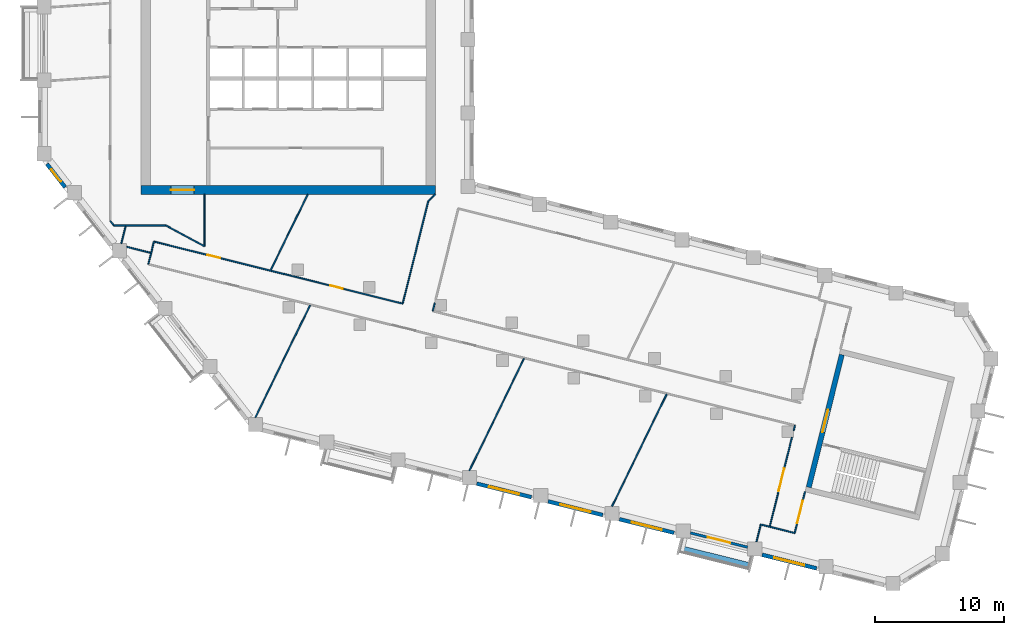
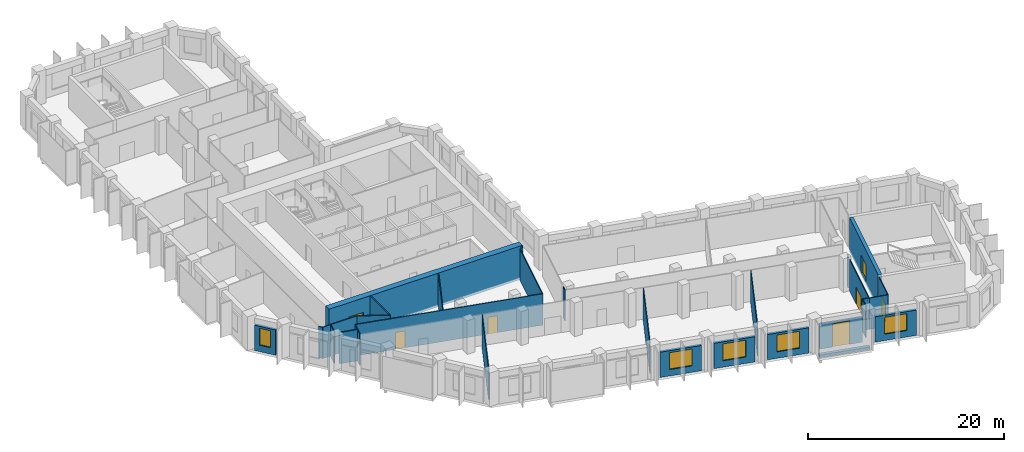
# One storey, part 3 of 10: 30 walls, 7 doors, 5 windows, 12 openings.
"""IFC4 building model written with IfcOpenShell, lengths in metres."""

from ifc_helpers import new_model, si_unit, direction, frame, frame_2d, origin, place, context, subcontext, project, spatial, rectangle, extrude, material, layer, layer_set, type_object, element, fill, save


model = new_model("IFC4")

# Units and contexts
model_context = context("Model", 3, precision=1e-05, world=origin(), true_north=direction((0.0, 1.0)))
body_context = subcontext(model_context, "Body", "Model", "MODEL_VIEW")
ifc_project = project(units=[si_unit("LENGTHUNIT", "METRE"), si_unit("AREAUNIT", "SQUARE_METRE"), si_unit("VOLUMEUNIT", "CUBIC_METRE"), si_unit("PLANEANGLEUNIT", "RADIAN"), si_unit("MASSUNIT", "GRAM", prefix="KILO")], contexts=[model_context])

# Site, building, storey
site_placement = place(None, origin())
site = spatial("IfcSite", under=ifc_project, at=site_placement, CompositionType="ELEMENT")
building_placement = place(site_placement, origin())
building = spatial("IfcBuilding", under=site, at=building_placement, Name="Meshkara Civic Tower", CompositionType="ELEMENT")
storey_placement = place(building_placement, frame((0.0, 0.0, 276.0)))
storey = spatial("IfcBuildingStorey", under=building, at=storey_placement, Name="L63", CompositionType="ELEMENT", Elevation=276.0)

# Wall, opening, door
ifc_material_1 = material(Name="Concrete C60", Category="concrete")
ifc_layer_1 = layer(ifc_material_1, 0.699951171875)
ifc_layer_set_1 = layer_set([ifc_layer_1], Name="Core ring wall 700 C60")
wall_type_1 = type_object("IfcWallType", Name="Core ring wall 700 C60", PredefinedType="SHEAR", material=ifc_layer_set_1)
wall_1_placement = place(storey_placement, frame((8.0, 14.449951171875, -0.300048828125), z_axis=(0.0, 0.0, 1.0), x_axis=(1.0, 0.0, 0.0)))
wall_1 = element("IfcWall", 1, at=wall_1_placement, inside=storey, type_object=wall_type_1, Name="L63-C001", PredefinedType="SHEAR", context=body_context, shape_type="SweptSolid", body=[
    extrude(rectangle(XDim=22.800048828125, YDim=0.699951171875, at=frame_2d((11.39990234375, 0.0))), origin(), (0.0, 0.0, 1.0), 4.199951171875),
])
opening_1_placement = place(wall_1_placement, frame((2.300048828125, 0.0, 0.300048828125)))
opening_1 = element("IfcOpeningElement", 2, at=opening_1_placement, cuts=wall_1, Name="Opening L63-K020", PredefinedType="OPENING", context=body_context, shape_type="SweptSolid", body=[
    extrude(rectangle(XDim=1.800048828125, YDim=2.10009765625, at=frame_2d((0.89990234375, 1.050048828125))), frame((0.0, 0.35986328125, 0.0), z_axis=(0.0, -1.0, 0.0), x_axis=(1.0, 0.0, 0.0)), (0.0, 0.0, 1.0), 0.719970703125),
])
ifc_material_2 = material(Name="Fire-rated door leaf in steel frame", Category="steel")
door_type_1 = type_object("IfcDoorType", Name="Core double door 1800 EI 60", OperationType="DOUBLE_DOOR_SINGLE_SWING", PredefinedType="DOOR", material=ifc_material_2)
door_1_placement = place(opening_1_placement, origin())
door_1 = element("IfcDoor", 3, at=door_1_placement, inside=storey, type_object=door_type_1, Name="L63-K020", OperationType="DOUBLE_DOOR_SINGLE_SWING", OverallHeight=2.10009765625, OverallWidth=1.800048828125, PredefinedType="DOOR", context=body_context, shape_type="SweptSolid", body=[
    extrude(rectangle(XDim=1.800048828125, YDim=2.10009765625, at=frame_2d((0.89990234375, 1.050048828125))), frame((0.0, 0.02490234375, 0.0), z_axis=(0.0, -1.0, 0.0), x_axis=(1.0, 0.0, 0.0)), (0.0, 0.0, 1.0), 0.050048828125),
])
fill(opening_1, door_1)

# Walls
ifc_material_3 = material(Name="Corridor wall 100")
ifc_layer_2 = layer(ifc_material_3, 0.10009765625)
ifc_layer_set_2 = layer_set([ifc_layer_2], Name="Corridor wall 100")
wall_type_2 = type_object("IfcWallType", Name="Corridor wall 100", PredefinedType="PARTITIONING", material=ifc_layer_set_2)
wall_2_placement = place(storey_placement, frame((5.60009765625, 12.04296875, 0.0), z_axis=(0.0, 0.0, 1.0), x_axis=(0.615415398102, -0.788202948344, 0.0)))
element("IfcWall", 4, at=wall_2_placement, inside=storey, type_object=wall_type_2, Name="L63-W004", PredefinedType="PARTITIONING", context=body_context, shape_type="SweptSolid", body=[
    extrude(rectangle(XDim=0.435302734375, YDim=0.10009765625, at=frame_2d((0.2177734375, 0.0))), origin(), (0.0, 0.0, 1.0), 3.89990234375),
])
wall_3_placement = place(storey_placement, frame((5.867919921875, 11.699951171875, 0.0), z_axis=(0.0, 0.0, 1.0), x_axis=(1.0, 0.0, 0.0)))
element("IfcWall", 5, at=wall_3_placement, inside=storey, type_object=wall_type_2, Name="L63-W006", PredefinedType="PARTITIONING", context=body_context, shape_type="SweptSolid", body=[
    extrude(rectangle(XDim=4.031982421875, YDim=0.10009765625, at=frame_2d((2.01611328125, 0.0))), origin(), (0.0, 0.0, 1.0), 3.89990234375),
])

# Wall, openings, doors
wall_4_placement = place(storey_placement, frame((8.988037109375, 10.43994140625, 0.0), z_axis=(0.0, 0.0, 1.0), x_axis=(0.970301223092, -0.241899848006, 0.0)))
wall_4 = element("IfcWall", 6, at=wall_4_placement, inside=storey, type_object=wall_type_2, Name="L63-W009", PredefinedType="PARTITIONING", context=body_context, shape_type="SweptSolid", body=[
    extrude(rectangle(XDim=19.87939453125, YDim=0.10009765625, at=frame_2d((9.939697265625, 0.0))), origin(), (0.0, 0.0, 1.0), 3.89990234375),
])
opening_2_placement = place(wall_4_placement, frame((4.280029296875, 0.0, 0.0)))
opening_2 = element("IfcOpeningElement", 7, at=opening_2_placement, cuts=wall_4, Name="Opening L63-D008", PredefinedType="OPENING", context=body_context, shape_type="SweptSolid", body=[
    extrude(rectangle(XDim=1.0, YDim=2.10009765625, at=frame_2d((0.5, 1.050048828125))), frame((0.0, 0.06005859375, 0.0), z_axis=(0.0, -1.0, 0.0), x_axis=(1.0, 0.0, 0.0)), (0.0, 0.0, 1.0), 0.1201171875),
])
opening_3_placement = place(wall_4_placement, frame((14.093017578125, 0.0, 0.0)))
opening_3 = element("IfcOpeningElement", 8, at=opening_3_placement, cuts=wall_4, Name="Opening L63-D010", PredefinedType="OPENING", context=body_context, shape_type="SweptSolid", body=[
    extrude(rectangle(XDim=1.0, YDim=2.10009765625, at=frame_2d((0.5, 1.050048828125))), frame((0.0, 0.06005859375, 0.0), z_axis=(0.0, -1.0, 0.0), x_axis=(1.0, 0.0, 0.0)), (0.0, 0.0, 1.0), 0.1201171875),
])
ifc_material_4 = material(Name="Door 1000 x 2100")
door_type_2 = type_object("IfcDoorType", Name="Door 1000 x 2100", OperationType="SINGLE_SWING_LEFT", PredefinedType="DOOR", material=ifc_material_4)
door_2_placement = place(opening_2_placement, origin())
door_2 = element("IfcDoor", 9, at=door_2_placement, inside=storey, type_object=door_type_2, Name="L63-D008", OperationType="SINGLE_SWING_RIGHT", OverallHeight=2.10009765625, OverallWidth=1.0, PredefinedType="DOOR", context=body_context, shape_type="SweptSolid", body=[
    extrude(rectangle(XDim=1.0, YDim=2.10009765625, at=frame_2d((0.5, 1.050048828125))), frame((0.0, 0.02490234375, 0.0), z_axis=(0.0, -1.0, 0.0), x_axis=(1.0, 0.0, 0.0)), (0.0, 0.0, 1.0), 0.050048828125),
])
fill(opening_2, door_2)
door_3_placement = place(opening_3_placement, origin())
door_3 = element("IfcDoor", 10, at=door_3_placement, inside=storey, type_object=door_type_2, Name="L63-D010", OperationType="SINGLE_SWING_LEFT", OverallHeight=2.10009765625, OverallWidth=1.0, PredefinedType="DOOR", context=body_context, shape_type="SweptSolid", body=[
    extrude(rectangle(XDim=1.0, YDim=2.10009765625, at=frame_2d((0.5, 1.050048828125))), frame((0.0, 0.02490234375, 0.0), z_axis=(0.0, -1.0, 0.0), x_axis=(1.0, 0.0, 0.0)), (0.0, 0.0, 1.0), 0.050048828125),
])
fill(opening_3, door_3)

# Walls
wall_5_placement = place(storey_placement, frame((8.988037109375, 10.43994140625, 0.0), z_axis=(0.0, 0.0, 1.0), x_axis=(-0.242154485745, -0.970237705428, 0.0)))
element("IfcWall", 11, at=wall_5_placement, inside=storey, type_object=wall_type_2, Name="L63-W010", PredefinedType="PARTITIONING", context=body_context, shape_type="SweptSolid", body=[
    extrude(rectangle(XDim=1.80859375, YDim=0.10009765625, at=frame_2d((0.904296875, 0.0))), origin(), (0.0, 0.0, 1.0), 3.89990234375),
])
wall_6_placement = place(storey_placement, frame((9.89990234375, 11.699951171875, 0.0), z_axis=(0.0, 0.0, 1.0), x_axis=(0.87965147249, -0.475618846291, 0.0)))
element("IfcWall", 12, at=wall_6_placement, inside=storey, type_object=wall_type_2, Name="L63-W011", PredefinedType="PARTITIONING", context=body_context, shape_type="SweptSolid", body=[
    extrude(rectangle(XDim=3.410400390625, YDim=0.10009765625, at=frame_2d((1.705078125, 0.0))), origin(), (0.0, 0.0, 1.0), 3.89990234375),
])
wall_7_placement = place(storey_placement, frame((12.89990234375, 10.077880859375, 0.0), z_axis=(0.0, 0.0, 1.0), x_axis=(0.0, 1.0, 0.0)))
element("IfcWall", 13, at=wall_7_placement, inside=storey, type_object=wall_type_2, Name="L63-W016", PredefinedType="PARTITIONING", context=body_context, shape_type="SweptSolid", body=[
    extrude(rectangle(XDim=4.022216796875, YDim=0.10009765625, at=frame_2d((2.01123046875, 0.0))), origin(), (0.0, 0.0, 1.0), 3.89990234375),
])
wall_8_placement = place(storey_placement, frame((30.259033203125, 13.5830078125, 0.0), z_axis=(0.0, 0.0, 1.0), x_axis=(-0.241841612879, -0.970315739479, 0.0)))
element("IfcWall", 14, at=wall_8_placement, inside=storey, type_object=wall_type_2, Name="L63-W026", PredefinedType="PARTITIONING", context=body_context, shape_type="SweptSolid", body=[
    extrude(rectangle(XDim=8.195068359375, YDim=0.10009765625, at=frame_2d((4.09765625, 0.0))), origin(), (0.0, 0.0, 1.0), 3.89990234375),
])
wall_9_placement = place(storey_placement, frame((30.60498046875, 5.050048828125, 0.0), z_axis=(0.0, 0.0, 1.0), x_axis=(0.241823201882, 0.970320328052, 0.0)))
element("IfcWall", 15, at=wall_9_placement, inside=storey, type_object=wall_type_2, Name="L63-W028", PredefinedType="PARTITIONING", context=body_context, shape_type="SweptSolid", body=[
    extrude(rectangle(XDim=0.64501953125, YDim=0.10009765625, at=frame_2d((0.322509765625, 0.0))), origin(), (0.0, 0.0, 1.0), 3.89990234375),
])
wall_10_placement = place(storey_placement, frame((30.800048828125, 14.10009765625, 0.0), z_axis=(0.0, 0.0, 1.0), x_axis=(-0.722911025189, -0.690941133281, 0.0)))
element("IfcWall", 16, at=wall_10_placement, inside=storey, type_object=wall_type_2, Name="L63-W029", PredefinedType="PARTITIONING", context=body_context, shape_type="SweptSolid", body=[
    extrude(rectangle(XDim=0.748291015625, YDim=0.10009765625, at=frame_2d((0.3740234375, 0.0))), origin(), (0.0, 0.0, 1.0), 3.89990234375),
])
wall_11_placement = place(storey_placement, frame((56.73193359375, -11.6708984375, 0.0), z_axis=(0.0, 0.0, 1.0), x_axis=(0.970250131019, -0.242104694829, 0.0)))
element("IfcWall", 17, at=wall_11_placement, inside=storey, type_object=wall_type_2, Name="L63-W033", PredefinedType="PARTITIONING", context=body_context, shape_type="SweptSolid", body=[
    extrude(rectangle(XDim=1.999755859375, YDim=0.10009765625, at=frame_2d((1.0, 0.0))), origin(), (0.0, 0.0, 1.0), 3.89990234375),
])

# Wall, opening, door
wall_12_placement = place(storey_placement, frame((58.458984375, -4.741943359375, 0.0), z_axis=(0.0, 0.0, 1.0), x_axis=(-0.24185178818, -0.970313203329, 0.0)))
wall_12 = element("IfcWall", 18, at=wall_12_placement, inside=storey, type_object=wall_type_2, Name="L63-W034", PredefinedType="PARTITIONING", context=body_context, shape_type="SweptSolid", body=[
    extrude(rectangle(XDim=7.140869140625, YDim=0.10009765625, at=frame_2d((3.5703125, 0.0))), origin(), (0.0, 0.0, 1.0), 3.89990234375),
])
opening_4_placement = place(wall_12_placement, frame((2.47998046875, 0.0, 0.0)))
opening_4 = element("IfcOpeningElement", 19, at=opening_4_placement, cuts=wall_12, Name="Opening L63-D001", PredefinedType="OPENING", context=body_context, shape_type="SweptSolid", body=[
    extrude(rectangle(XDim=1.800048828125, YDim=2.10009765625, at=frame_2d((0.89990234375, 1.050048828125))), frame((0.0, 0.06005859375, 0.0), z_axis=(0.0, -1.0, 0.0), x_axis=(1.0, 0.0, 0.0)), (0.0, 0.0, 1.0), 0.1201171875),
])
ifc_material_5 = material(Name="Door pair 1800 x 2100")
door_type_3 = type_object("IfcDoorType", Name="Door pair 1800 x 2100", OperationType="SINGLE_SWING_LEFT", PredefinedType="DOOR", material=ifc_material_5)
door_4_placement = place(opening_4_placement, origin())
door_4 = element("IfcDoor", 20, at=door_4_placement, inside=storey, type_object=door_type_3, Name="L63-D001", OperationType="DOUBLE_DOOR_SINGLE_SWING", OverallHeight=2.10009765625, OverallWidth=1.800048828125, PredefinedType="DOOR", context=body_context, shape_type="SweptSolid", body=[
    extrude(rectangle(XDim=1.800048828125, YDim=2.10009765625, at=frame_2d((0.89990234375, 1.050048828125))), frame((0.0, 0.02490234375, 0.0), z_axis=(0.0, -1.0, 0.0), x_axis=(1.0, 0.0, 0.0)), (0.0, 0.0, 1.0), 0.050048828125),
])
fill(opening_4, door_4)

wall_13_placement = place(storey_placement, frame((58.672119140625, -12.155029296875, 0.0), z_axis=(0.0, 0.0, 1.0), x_axis=(0.242048225647, 0.970264219922, 0.0)))
wall_13 = element("IfcWall", 21, at=wall_13_placement, inside=storey, type_object=wall_type_2, Name="L63-W035", PredefinedType="PARTITIONING", context=body_context, shape_type="SweptSolid", body=[
    extrude(rectangle(XDim=3.30029296875, YDim=0.10009765625, at=frame_2d((1.650146484375, 0.0))), origin(), (0.0, 0.0, 1.0), 3.89990234375),
])
opening_5_placement = place(wall_13_placement, frame((0.780029296875, 0.0, 0.0)))
opening_5 = element("IfcOpeningElement", 22, at=opening_5_placement, cuts=wall_13, Name="Opening L63-D002", PredefinedType="OPENING", context=body_context, shape_type="SweptSolid", body=[
    extrude(rectangle(XDim=1.800048828125, YDim=2.10009765625, at=frame_2d((0.89990234375, 1.050048828125))), frame((0.0, 0.06005859375, 0.0), z_axis=(0.0, -1.0, 0.0), x_axis=(1.0, 0.0, 0.0)), (0.0, 0.0, 1.0), 0.1201171875),
])
door_5_placement = place(opening_5_placement, origin())
door_5 = element("IfcDoor", 23, at=door_5_placement, inside=storey, type_object=door_type_3, Name="L63-D002", OperationType="DOUBLE_DOOR_SINGLE_SWING", OverallHeight=2.10009765625, OverallWidth=1.800048828125, PredefinedType="DOOR", context=body_context, shape_type="SweptSolid", body=[
    extrude(rectangle(XDim=1.800048828125, YDim=2.10009765625, at=frame_2d((0.89990234375, 1.050048828125))), frame((0.0, 0.02490234375, 0.0), z_axis=(0.0, -1.0, 0.0), x_axis=(1.0, 0.0, 0.0)), (0.0, 0.0, 1.0), 0.050048828125),
])
fill(opening_5, door_5)

# Wall
wall_14_placement = place(storey_placement, frame((58.68994140625, -3.81591796875, 0.0), z_axis=(0.0, 0.0, 1.0), x_axis=(-0.241572107215, -0.970382871353, 0.0)))
element("IfcWall", 24, at=wall_14_placement, inside=storey, type_object=wall_type_2, Name="L63-W036", PredefinedType="PARTITIONING", context=body_context, shape_type="SweptSolid", body=[
    extrude(rectangle(XDim=0.41748046875, YDim=0.10009765625, at=frame_2d((0.208740234375, 0.0))), origin(), (0.0, 0.0, 1.0), 3.89990234375),
])

# Wall, opening, window
ifc_material_6 = material(Name="Insulated infill panel with bronze anodised aluminium cladding", Category="aluminium")
ifc_layer_3 = layer(ifc_material_6, 0.300048828125)
ifc_layer_set_3 = layer_set([ifc_layer_3], Name="EXTERNAL INFILL WALL 300")
wall_type_3 = type_object("IfcWallType", Name="EXTERNAL INFILL WALL 300", PredefinedType="SOLIDWALL", material=ifc_layer_set_3)
wall_15_placement = place(storey_placement, frame((0.68896484375, 16.4619140625, 0.0), z_axis=(0.0, 0.0, 1.0), x_axis=(0.615625465473, -0.788038886262, 0.0)))
wall_15 = element("IfcWall", 25, at=wall_15_placement, inside=storey, type_object=wall_type_3, Name="External wall", PredefinedType="SOLIDWALL", context=body_context, shape_type="SweptSolid", body=[
    extrude(rectangle(XDim=2.29541015625, YDim=0.300048828125, at=frame_2d((1.147705078125, 0.0))), origin(), (0.0, 0.0, 1.0), 3.14990234375),
])
opening_6_placement = place(wall_15_placement, frame((0.548095703125, 0.0, 0.800048828125)))
opening_6 = element("IfcOpeningElement", 26, at=opening_6_placement, cuts=wall_15, Name="Opening W3", PredefinedType="OPENING", context=body_context, shape_type="SweptSolid", body=[
    extrude(rectangle(XDim=1.199951171875, YDim=2.10009765625, at=frame_2d((0.60009765625, 1.050048828125))), frame((0.0, 0.159912109375, 0.0), z_axis=(0.0, -1.0, 0.0), x_axis=(1.0, 0.0, 0.0)), (0.0, 0.0, 1.0), 0.320068359375),
])
ifc_material_7 = material(Name="Tinted double glazing", Category="glass")
window_type_1 = type_object("IfcWindowType", Name="WINDOW 1200x2100", PartitioningType="SINGLE_PANEL", PredefinedType="WINDOW", material=ifc_material_7)
window_1_placement = place(opening_6_placement, origin())
window_1 = element("IfcWindow", 27, at=window_1_placement, inside=storey, type_object=window_type_1, Name="Window", OverallHeight=2.10009765625, OverallWidth=1.199951171875, PartitioningType="SINGLE_PANEL", PredefinedType="WINDOW", context=body_context, shape_type="SweptSolid", body=[
    extrude(rectangle(XDim=1.199951171875, YDim=2.10009765625, at=frame_2d((0.60009765625, 1.050048828125))), frame((0.0, 0.030029296875, 0.0), z_axis=(0.0, -1.0, 0.0), x_axis=(1.0, 0.0, 0.0)), (0.0, 0.0, 1.0), 0.06005859375),
])
fill(opening_6, window_1)

wall_16_placement = place(storey_placement, frame((34.01708984375, -8.326904296875, 0.0), z_axis=(0.0, 0.0, 1.0), x_axis=(0.970306725873, -0.241877774353, 0.0)))
wall_16 = element("IfcWall", 28, at=wall_16_placement, inside=storey, type_object=wall_type_3, Name="External wall", PredefinedType="SOLIDWALL", context=body_context, shape_type="SweptSolid", body=[
    extrude(rectangle(XDim=4.366455078125, YDim=0.300048828125, at=frame_2d((2.18310546875, 0.0))), origin(), (0.0, 0.0, 1.0), 3.14990234375),
])
opening_7_placement = place(wall_16_placement, frame((0.98291015625, 0.0, 0.800048828125)))
opening_7 = element("IfcOpeningElement", 29, at=opening_7_placement, cuts=wall_16, Name="Opening W7", PredefinedType="OPENING", context=body_context, shape_type="SweptSolid", body=[
    extrude(rectangle(XDim=2.39990234375, YDim=2.10009765625, at=frame_2d((1.199951171875, 1.050048828125))), frame((0.0, 0.159912109375, 0.0), z_axis=(0.0, -1.0, 0.0), x_axis=(1.0, 0.0, 0.0)), (0.0, 0.0, 1.0), 0.320068359375),
])
ifc_material_8 = material(Name="Tinted double glazing", Category="glass")
window_type_2 = type_object("IfcWindowType", Name="WINDOW 2400x2100", PartitioningType="DOUBLE_PANEL_VERTICAL", PredefinedType="WINDOW", material=ifc_material_8)
window_2_placement = place(opening_7_placement, origin())
window_2 = element("IfcWindow", 30, at=window_2_placement, inside=storey, type_object=window_type_2, Name="Window", OverallHeight=2.10009765625, OverallWidth=2.39990234375, PartitioningType="DOUBLE_PANEL_VERTICAL", PredefinedType="WINDOW", context=body_context, shape_type="SweptSolid", body=[
    extrude(rectangle(XDim=2.39990234375, YDim=2.10009765625, at=frame_2d((1.199951171875, 1.050048828125))), frame((0.0, 0.030029296875, 0.0), z_axis=(0.0, -1.0, 0.0), x_axis=(1.0, 0.0, 0.0)), (0.0, 0.0, 1.0), 0.06005859375),
])
fill(opening_7, window_2)

wall_17_placement = place(storey_placement, frame((39.548095703125, -9.7060546875, 0.0), z_axis=(0.0, 0.0, 1.0), x_axis=(0.970319847058, -0.241825131873, 0.0)))
wall_17 = element("IfcWall", 31, at=wall_17_placement, inside=storey, type_object=wall_type_3, Name="External wall", PredefinedType="SOLIDWALL", context=body_context, shape_type="SweptSolid", body=[
    extrude(rectangle(XDim=4.366455078125, YDim=0.300048828125, at=frame_2d((2.18310546875, 0.0))), origin(), (0.0, 0.0, 1.0), 3.14990234375),
])
opening_8_placement = place(wall_17_placement, frame((0.98291015625, 0.0, 0.800048828125)))
opening_8 = element("IfcOpeningElement", 32, at=opening_8_placement, cuts=wall_17, Name="Opening W7", PredefinedType="OPENING", context=body_context, shape_type="SweptSolid", body=[
    extrude(rectangle(XDim=2.39990234375, YDim=2.10009765625, at=frame_2d((1.199951171875, 1.050048828125))), frame((0.0, 0.159912109375, 0.0), z_axis=(0.0, -1.0, 0.0), x_axis=(1.0, 0.0, 0.0)), (0.0, 0.0, 1.0), 0.320068359375),
])
window_3_placement = place(opening_8_placement, origin())
window_3 = element("IfcWindow", 33, at=window_3_placement, inside=storey, type_object=window_type_2, Name="Window", OverallHeight=2.10009765625, OverallWidth=2.39990234375, PartitioningType="DOUBLE_PANEL_VERTICAL", PredefinedType="WINDOW", context=body_context, shape_type="SweptSolid", body=[
    extrude(rectangle(XDim=2.39990234375, YDim=2.10009765625, at=frame_2d((1.199951171875, 1.050048828125))), frame((0.0, 0.030029296875, 0.0), z_axis=(0.0, -1.0, 0.0), x_axis=(1.0, 0.0, 0.0)), (0.0, 0.0, 1.0), 0.06005859375),
])
fill(opening_8, window_3)

wall_18_placement = place(storey_placement, frame((45.0791015625, -11.0849609375, 0.0), z_axis=(0.0, 0.0, 1.0), x_axis=(0.970293636985, -0.241930275135, 0.0)))
wall_18 = element("IfcWall", 34, at=wall_18_placement, inside=storey, type_object=wall_type_3, Name="External wall", PredefinedType="SOLIDWALL", context=body_context, shape_type="SweptSolid", body=[
    extrude(rectangle(XDim=4.365478515625, YDim=0.300048828125, at=frame_2d((2.1826171875, 0.0))), origin(), (0.0, 0.0, 1.0), 3.14990234375),
])
opening_9_placement = place(wall_18_placement, frame((0.98291015625, 0.0, 0.800048828125)))
opening_9 = element("IfcOpeningElement", 35, at=opening_9_placement, cuts=wall_18, Name="Opening W7", PredefinedType="OPENING", context=body_context, shape_type="SweptSolid", body=[
    extrude(rectangle(XDim=2.39990234375, YDim=2.10009765625, at=frame_2d((1.199951171875, 1.050048828125))), frame((0.0, 0.159912109375, 0.0), z_axis=(0.0, -1.0, 0.0), x_axis=(1.0, 0.0, 0.0)), (0.0, 0.0, 1.0), 0.320068359375),
])
window_4_placement = place(opening_9_placement, origin())
window_4 = element("IfcWindow", 36, at=window_4_placement, inside=storey, type_object=window_type_2, Name="Window", OverallHeight=2.10009765625, OverallWidth=2.39990234375, PartitioningType="DOUBLE_PANEL_VERTICAL", PredefinedType="WINDOW", context=body_context, shape_type="SweptSolid", body=[
    extrude(rectangle(XDim=2.39990234375, YDim=2.10009765625, at=frame_2d((1.199951171875, 1.050048828125))), frame((0.0, 0.030029296875, 0.0), z_axis=(0.0, -1.0, 0.0), x_axis=(1.0, 0.0, 0.0)), (0.0, 0.0, 1.0), 0.06005859375),
])
fill(opening_9, window_4)

wall_19_placement = place(storey_placement, frame((56.139892578125, -13.842041015625, 0.0), z_axis=(0.0, 0.0, 1.0), x_axis=(0.970270622343, -0.24202255973, 0.0)))
wall_19 = element("IfcWall", 37, at=wall_19_placement, inside=storey, type_object=wall_type_3, Name="External wall", PredefinedType="SOLIDWALL", context=body_context, shape_type="SweptSolid", body=[
    extrude(rectangle(XDim=4.366943359375, YDim=0.300048828125, at=frame_2d((2.18359375, 0.0))), origin(), (0.0, 0.0, 1.0), 3.14990234375),
])
opening_10_placement = place(wall_19_placement, frame((0.98291015625, 0.0, 0.800048828125)))
opening_10 = element("IfcOpeningElement", 38, at=opening_10_placement, cuts=wall_19, Name="Opening W7", PredefinedType="OPENING", context=body_context, shape_type="SweptSolid", body=[
    extrude(rectangle(XDim=2.39990234375, YDim=2.10009765625, at=frame_2d((1.199951171875, 1.050048828125))), frame((0.0, 0.159912109375, 0.0), z_axis=(0.0, -1.0, 0.0), x_axis=(1.0, 0.0, 0.0)), (0.0, 0.0, 1.0), 0.320068359375),
])
window_5_placement = place(opening_10_placement, origin())
window_5 = element("IfcWindow", 39, at=window_5_placement, inside=storey, type_object=window_type_2, Name="Window", OverallHeight=2.10009765625, OverallWidth=2.39990234375, PartitioningType="DOUBLE_PANEL_VERTICAL", PredefinedType="WINDOW", context=body_context, shape_type="SweptSolid", body=[
    extrude(rectangle(XDim=2.39990234375, YDim=2.10009765625, at=frame_2d((1.199951171875, 1.050048828125))), frame((0.0, 0.030029296875, 0.0), z_axis=(0.0, -1.0, 0.0), x_axis=(1.0, 0.0, 0.0)), (0.0, 0.0, 1.0), 0.06005859375),
])
fill(opening_10, window_5)

# Wall, opening, door
ifc_material_9 = material(Name="Concrete C60", Category="concrete")
ifc_layer_4 = layer(ifc_material_9, 0.39990234375)
ifc_layer_set_4 = layer_set([ifc_layer_4], Name="End core ring wall 400 C60")
wall_type_4 = type_object("IfcWallType", Name="End core ring wall 400 C60", PredefinedType="SHEAR", material=ifc_layer_set_4)
wall_20_placement = place(storey_placement, frame((59.760986328125, -8.613037109375, -0.300048828125), z_axis=(0.0, 0.0, 1.0), x_axis=(0.241971982666, 0.970283236795, 0.0)))
wall_20 = element("IfcWall", 40, at=wall_20_placement, inside=storey, type_object=wall_type_4, Name="L63-C029", PredefinedType="SHEAR", context=body_context, shape_type="SweptSolid", body=[
    extrude(rectangle(XDim=10.60009765625, YDim=0.39990234375, at=frame_2d((5.300048828125, 0.0))), origin(), (0.0, 0.0, 1.0), 4.199951171875),
])
opening_11_placement = place(wall_20_placement, frame((4.39990234375, 0.0, 0.300048828125)))
opening_11 = element("IfcOpeningElement", 41, at=opening_11_placement, cuts=wall_20, Name="Opening L63-K202", PredefinedType="OPENING", context=body_context, shape_type="SweptSolid", body=[
    extrude(rectangle(XDim=1.800048828125, YDim=2.10009765625, at=frame_2d((0.89990234375, 1.050048828125))), frame((0.0, 0.2099609375, 0.0), z_axis=(0.0, -1.0, 0.0), x_axis=(1.0, 0.0, 0.0)), (0.0, 0.0, 1.0), 0.419921875),
])
door_6_placement = place(opening_11_placement, origin())
door_6 = element("IfcDoor", 42, at=door_6_placement, inside=storey, type_object=door_type_1, Name="L63-K202", OperationType="DOUBLE_DOOR_SINGLE_SWING", OverallHeight=2.10009765625, OverallWidth=1.800048828125, PredefinedType="DOOR", context=body_context, shape_type="SweptSolid", body=[
    extrude(rectangle(XDim=1.800048828125, YDim=2.10009765625, at=frame_2d((0.89990234375, 1.050048828125))), frame((0.0, 0.02490234375, 0.0), z_axis=(0.0, -1.0, 0.0), x_axis=(1.0, 0.0, 0.0)), (0.0, 0.0, 1.0), 0.050048828125),
])
fill(opening_11, door_6)

ifc_material_10 = material(Name="Insulated infill panel with bronze anodised aluminium cladding", Category="aluminium")
ifc_layer_5 = layer(ifc_material_10, 0.199951171875)
ifc_layer_set_5 = layer_set([ifc_layer_5], Name="LOGGIA BACK WALL 200")
wall_type_5 = type_object("IfcWallType", Name="LOGGIA BACK WALL 200", PredefinedType="SOLIDWALL", material=ifc_layer_set_5)
wall_21_placement = place(storey_placement, frame((50.5849609375, -12.14794921875, 0.0), z_axis=(0.0, 0.0, 1.0), x_axis=(0.970286982272, -0.241956963183, 0.0)))
wall_21 = element("IfcWall", 43, at=wall_21_placement, inside=storey, type_object=wall_type_5, Name="Loggia wall", PredefinedType="SOLIDWALL", context=body_context, shape_type="SweptSolid", body=[
    extrude(rectangle(XDim=4.56689453125, YDim=0.199951171875, at=frame_2d((2.283447265625, 0.0))), origin(), (0.0, 0.0, 1.0), 3.14990234375),
])
opening_12_placement = place(wall_21_placement, frame((1.383056640625, 0.0, 0.0)))
opening_12 = element("IfcOpeningElement", 44, at=opening_12_placement, cuts=wall_21, Name="Opening L63-L005", PredefinedType="OPENING", context=body_context, shape_type="SweptSolid", body=[
    extrude(rectangle(XDim=1.800048828125, YDim=2.89990234375, at=frame_2d((0.89990234375, 1.449951171875))), frame((0.0, 0.10986328125, 0.0), z_axis=(0.0, -1.0, 0.0), x_axis=(1.0, 0.0, 0.0)), (0.0, 0.0, 1.0), 0.219970703125),
])
ifc_material_11 = material(Name="Tinted double glazing", Category="glass")
door_type_4 = type_object("IfcDoorType", Name="LOGGIA DOOR 1800x2900", OperationType="DOUBLE_DOOR_SINGLE_SWING", PredefinedType="DOOR", material=ifc_material_11)
door_7_placement = place(opening_12_placement, origin())
door_7 = element("IfcDoor", 45, at=door_7_placement, inside=storey, type_object=door_type_4, Name="L63-L005", OperationType="DOUBLE_DOOR_SINGLE_SWING", OverallHeight=2.89990234375, OverallWidth=1.800048828125, PredefinedType="DOOR", context=body_context, shape_type="SweptSolid", body=[
    extrude(rectangle(XDim=1.800048828125, YDim=2.89990234375, at=frame_2d((0.89990234375, 1.449951171875))), frame((0.0, 0.02490234375, 0.0), z_axis=(0.0, -1.0, 0.0), x_axis=(1.0, 0.0, 0.0)), (0.0, 0.0, 1.0), 0.050048828125),
])
fill(opening_12, door_7)

# Walls
ifc_material_12 = material(Name="Concrete C40", Category="concrete")
ifc_layer_6 = layer(ifc_material_12, 0.39990234375)
ifc_layer_set_6 = layer_set([ifc_layer_6], Name="PLANTER TRAY")
wall_type_6 = type_object("IfcWallType", Name="PLANTER TRAY", PredefinedType="SOLIDWALL", material=ifc_layer_set_6)
wall_22_placement = place(storey_placement, frame((49.8779296875, -13.343017578125, 0.0), z_axis=(0.0, 0.0, 1.0), x_axis=(0.970335098585, -0.241763927116, 0.0)))
element("IfcWall", 46, at=wall_22_placement, inside=storey, type_object=wall_type_6, Name="Planter", PredefinedType="SOLIDWALL", context=body_context, shape_type="SweptSolid", body=[
    extrude(rectangle(XDim=5.360107421875, YDim=0.39990234375, at=frame_2d((2.68017578125, 0.0))), origin(), (0.0, 0.0, 1.0), 0.300048828125),
])
ifc_material_13 = material(Name="Partition 100")
ifc_layer_7 = layer(ifc_material_13, 0.10009765625)
ifc_layer_set_7 = layer_set([ifc_layer_7], Name="Partition 100")
wall_type_7 = type_object("IfcWallType", Name="Partition 100", PredefinedType="PARTITIONING", material=ifc_layer_set_7)
wall_23_placement = place(storey_placement, frame((6.797119140625, 11.637939453125, 0.0), z_axis=(0.0, 0.0, 1.0), x_axis=(-0.242164268782, -0.970235263699, 0.0)))
element("IfcWall", 47, at=wall_23_placement, inside=storey, type_object=wall_type_7, Name="L63-W046", PredefinedType="PARTITIONING", context=body_context, shape_type="SweptSolid", body=[
    extrude(rectangle(XDim=1.392333984375, YDim=0.10009765625, at=frame_2d((0.6962890625, 0.0))), origin(), (0.0, 0.0, 1.0), 3.89990234375),
])
wall_24_placement = place(storey_placement, frame((8.719970703125, 9.573974609375, 0.0), z_axis=(0.0, 0.0, 1.0), x_axis=(-0.970240497311, 0.242143299263, 0.0)))
element("IfcWall", 48, at=wall_24_placement, inside=storey, type_object=wall_type_7, Name="L63-W047", PredefinedType="PARTITIONING", context=body_context, shape_type="SweptSolid", body=[
    extrude(rectangle(XDim=1.903564453125, YDim=0.10009765625, at=frame_2d((0.95166015625, 0.0))), origin(), (0.0, 0.0, 1.0), 3.89990234375),
])
wall_25_placement = place(storey_placement, frame((16.85302734375, -3.18798828125, 0.0), z_axis=(0.0, 0.0, 1.0), x_axis=(0.43837932908, 0.898790055483, 0.0)))
element("IfcWall", 49, at=wall_25_placement, inside=storey, type_object=wall_type_7, Name="L63-W049", PredefinedType="PARTITIONING", context=body_context, shape_type="SweptSolid", body=[
    extrude(rectangle(XDim=9.6630859375, YDim=0.10009765625, at=frame_2d((4.83154296875, 0.0))), origin(), (0.0, 0.0, 1.0), 3.89990234375),
])
wall_26_placement = place(storey_placement, frame((18.051025390625, 8.241943359375, 0.0), z_axis=(0.0, 0.0, 1.0), x_axis=(0.438336545362, 0.898810921719, 0.0)))
element("IfcWall", 50, at=wall_26_placement, inside=storey, type_object=wall_type_7, Name="L63-W050", PredefinedType="PARTITIONING", context=body_context, shape_type="SweptSolid", body=[
    extrude(rectangle(XDim=6.517578125, YDim=0.10009765625, at=frame_2d((3.2587890625, 0.0))), origin(), (0.0, 0.0, 1.0), 3.89990234375),
])
wall_27_placement = place(storey_placement, frame((33.445068359375, -7.324951171875, 0.0), z_axis=(0.0, 0.0, 1.0), x_axis=(0.438358918785, 0.898800010193, 0.0)))
element("IfcWall", 51, at=wall_27_placement, inside=storey, type_object=wall_type_7, Name="L63-W052", PredefinedType="PARTITIONING", context=body_context, shape_type="SweptSolid", body=[
    extrude(rectangle(XDim=9.662841796875, YDim=0.10009765625, at=frame_2d((4.83154296875, 0.0))), origin(), (0.0, 0.0, 1.0), 3.89990234375),
])
wall_28_placement = place(storey_placement, frame((44.508056640625, -10.08203125, 0.0), z_axis=(0.0, 0.0, 1.0), x_axis=(0.438317088471, 0.89882041029, 0.0)))
element("IfcWall", 52, at=wall_28_placement, inside=storey, type_object=wall_type_7, Name="L63-W053", PredefinedType="PARTITIONING", context=body_context, shape_type="SweptSolid", body=[
    extrude(rectangle(XDim=9.66162109375, YDim=0.10009765625, at=frame_2d((4.830810546875, 0.0))), origin(), (0.0, 0.0, 1.0), 3.89990234375),
])
wall_29_placement = place(storey_placement, frame((55.702880859375, -12.840087890625, 0.0), z_axis=(0.0, 0.0, 1.0), x_axis=(0.242327978011, 0.970194388292, 0.0)))
element("IfcWall", 53, at=wall_29_placement, inside=storey, type_object=wall_type_7, Name="L63-W055", PredefinedType="PARTITIONING", context=body_context, shape_type="SweptSolid", body=[
    extrude(rectangle(XDim=1.38330078125, YDim=0.10009765625, at=frame_2d((0.691650390625, 0.0))), origin(), (0.0, 0.0, 1.0), 3.89990234375),
])
wall_30_placement = place(storey_placement, frame((56.0380859375, -11.498046875, 0.0), z_axis=(0.0, 0.0, 1.0), x_axis=(0.970282083048, -0.241976609029, 0.0)))
element("IfcWall", 54, at=wall_30_placement, inside=storey, type_object=wall_type_7, Name="L63-W056", PredefinedType="PARTITIONING", context=body_context, shape_type="SweptSolid", body=[
    extrude(rectangle(XDim=0.719482421875, YDim=0.10009765625, at=frame_2d((0.35986328125, 0.0))), origin(), (0.0, 0.0, 1.0), 3.89990234375),
])

save(model, "model.ifc")
